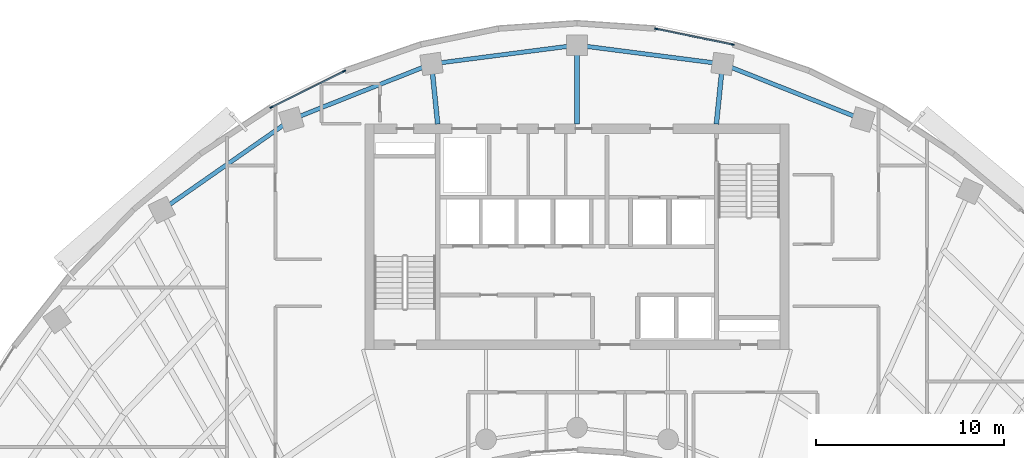
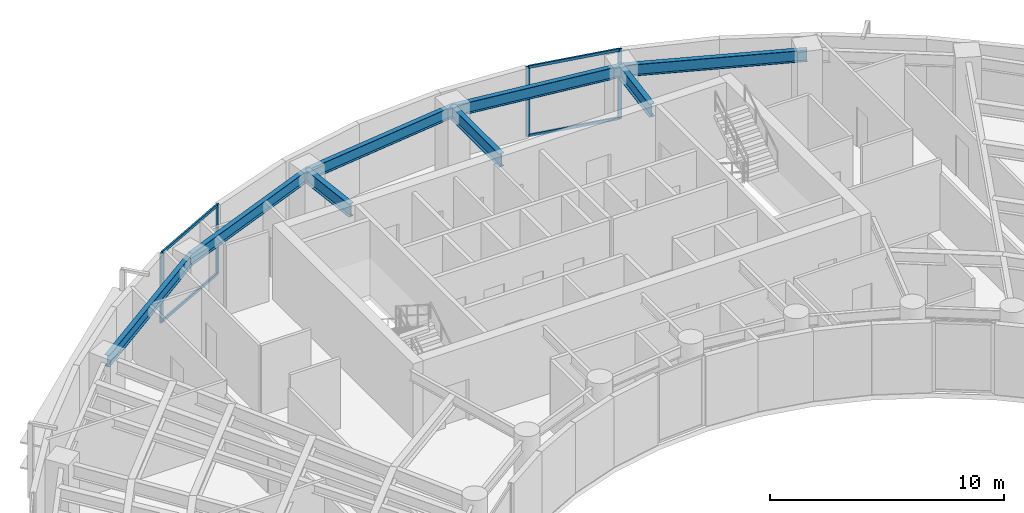
# One storey, part 5 of 13: 8 beams, 8 members, 2 elements without a shape of their own.
"""IFC4 building model written with IfcOpenShell, lengths in metres."""

import ifcopenshell
import ifcopenshell.guid

model = None  # the IFC model being written
_history = None  # IfcOwnerHistory: only IFC2X3 demands one
_inside = {}  # id of a spatial element -> (the spatial element, [elements in it])
_under = {}  # id of a project, library or spatial element -> (it, [spatial elements below it])
_declared = {}  # id of a project -> (the project, [libraries it declares])
_typed = {}  # id of a type object -> (the type object, [elements of that type])
_made_of = {}  # id of a material, layer set ... -> (it, [elements and type objects made of it])


def new_model(schema):
    """Start an empty IFC model of exactly this schema.

    Asked for "IFC4X3", IfcOpenShell would pick the latest addendum, in which some entities
    have other attributes; the version numbers below select the first issue.
    IFC2X3 requires an IfcOwnerHistory on every rooted entity: one is made here for all.
    """
    global model, _history
    if schema == "IFC4X3":
        model = ifcopenshell.file(schema_version=(4, 3, 0, 0))
    else:
        model = ifcopenshell.file(schema=schema)
    _inside.clear()
    _under.clear()
    _declared.clear()
    _typed.clear()
    _made_of.clear()
    _history = None
    if model.schema == "IFC2X3":
        org = make("IfcOrganization", Name="unknown")
        user = make(
            "IfcPersonAndOrganization",
            ThePerson=make("IfcPerson", FamilyName="unknown"),
            TheOrganization=org,
        )
        app = make(
            "IfcApplication",
            ApplicationDeveloper=org,
            Version="unknown",
            ApplicationFullName="unknown",
            ApplicationIdentifier="unknown",
        )
        _history = make(
            "IfcOwnerHistory",
            OwningUser=user,
            OwningApplication=app,
            ChangeAction="ADDED",
            CreationDate=0,
        )
    return model


def make(cls, **values):
    """One entity of the class cls with the attributes given. An attribute that is None is left unset."""
    return model.create_entity(
        cls, **{name: value for name, value in values.items() if value is not None}
    )


def rooted(cls, **values):
    """An entity with a GlobalId (a new one), such as an element, a storey or a relation."""
    return make(cls, GlobalId=ifcopenshell.guid.new(), OwnerHistory=_history, **values)


def si_unit(unit_type, name, prefix=None):
    """IfcSIUnit, for example si_unit("LENGTHUNIT", "METRE", prefix="MILLI")."""
    return make("IfcSIUnit", UnitType=unit_type, Prefix=prefix, Name=name)


def assignment(units):
    """IfcUnitAssignment: the units of a project."""
    return None if units is None else make("IfcUnitAssignment", Units=units)


def point(xyz):
    """IfcCartesianPoint."""
    return None if xyz is None else make("IfcCartesianPoint", Coordinates=xyz)


def direction(xyz):
    """IfcDirection."""
    return None if xyz is None else make("IfcDirection", DirectionRatios=xyz)


def frame(location, z_axis=None, x_axis=None):
    """IfcAxis2Placement3D, a coordinate frame: its origin and axes. An axis left out is left unset."""
    return make(
        "IfcAxis2Placement3D",
        Location=point(location),
        Axis=direction(z_axis),
        RefDirection=direction(x_axis),
    )


def frame_2d(location, x_axis=None):
    """IfcAxis2Placement2D, a coordinate frame in the plane: its origin and x axis."""
    return make(
        "IfcAxis2Placement2D", Location=point(location), RefDirection=direction(x_axis)
    )


def origin():
    """The frame at (0, 0, 0) with its axes left unset."""
    return frame((0.0, 0.0, 0.0))


def origin_2d():
    """The frame at (0, 0) in the plane with its x axis left unset."""
    return frame_2d((0.0, 0.0))


def place(relative_to, where):
    """IfcLocalPlacement: puts the frame where relative to a parent placement (None: the world)."""
    return make(
        "IfcLocalPlacement", PlacementRelTo=relative_to, RelativePlacement=where
    )


def context(
    kind, dimensions, precision=None, world=None, true_north=None, identifier=None
):
    """IfcGeometricRepresentationContext, for example the 3D "Model" context."""
    return make(
        "IfcGeometricRepresentationContext",
        ContextIdentifier=identifier,
        ContextType=kind,
        CoordinateSpaceDimension=dimensions,
        Precision=precision,
        WorldCoordinateSystem=world,
        TrueNorth=true_north,
    )


def subcontext(parent, identifier, kind, view, scale=None):
    """IfcGeometricRepresentationSubContext, for example "Body" below "Model"."""
    return make(
        "IfcGeometricRepresentationSubContext",
        ContextIdentifier=identifier,
        ContextType=kind,
        ParentContext=parent,
        TargetScale=scale,
        TargetView=view,
    )


def project(units=None, contexts=None):
    """IfcProject with its units and contexts."""
    return rooted(
        "IfcProject",
        Name="project",
        RepresentationContexts=contexts,
        UnitsInContext=assignment(units),
    )


def spatial(cls, under=None, at=None, **own):
    """A site, building, storey or space (cls), placed at a placement, below another one or the project."""
    s = rooted(cls, ObjectPlacement=at, **own)
    if under is not None:
        _under.setdefault(under.id(), (under, []))[1].append(s)
    return s


def profile(cls, at=None, kind="AREA", **sizes):
    """A parametric profile (cls). Its sizes go by their IFC names, for example OverallWidth=200.0."""
    return make(cls, ProfileType=kind, Position=at, **sizes)


def rectangle(**sizes):
    """IfcRectangleProfileDef."""
    return profile("IfcRectangleProfileDef", **sizes)


def i_section(**sizes):
    """IfcIShapeProfileDef."""
    return profile("IfcIShapeProfileDef", **sizes)


def extrude(swept, where, along, depth):
    """IfcExtrudedAreaSolid: the profile swept, set in the frame where, extruded along a direction by depth."""
    return make(
        "IfcExtrudedAreaSolid",
        SweptArea=swept,
        Position=where,
        ExtrudedDirection=direction(along),
        Depth=depth,
    )


def shape(context_of_items, identifier, shape_type, items):
    """IfcShapeRepresentation: the items that make up one representation, for example the "Body"."""
    return make(
        "IfcShapeRepresentation",
        ContextOfItems=context_of_items,
        RepresentationIdentifier=identifier,
        RepresentationType=shape_type,
        Items=items,
    )


def source(mapping_origin, context_of_items, identifier, shape_type, items):
    """IfcRepresentationMap: a shape defined once, which mapped items show again and again."""
    return make(
        "IfcRepresentationMap",
        MappingOrigin=mapping_origin,
        MappedRepresentation=shape(context_of_items, identifier, shape_type, items),
    )


def transform(
    local_origin,
    x_axis=None,
    y_axis=None,
    z_axis=None,
    scale=None,
    scale2=None,
    scale3=None,
    uniform=True,
):
    """IfcCartesianTransformationOperator3D, or its non-uniform kind. x_axis, y_axis, z_axis: its Axis1, 2, 3."""
    if uniform:
        return make(
            "IfcCartesianTransformationOperator3D",
            Axis1=direction(x_axis),
            Axis2=direction(y_axis),
            LocalOrigin=point(local_origin),
            Scale=scale,
            Axis3=direction(z_axis),
        )
    return make(
        "IfcCartesianTransformationOperator3DnonUniform",
        Axis1=direction(x_axis),
        Axis2=direction(y_axis),
        LocalOrigin=point(local_origin),
        Scale=scale,
        Axis3=direction(z_axis),
        Scale2=scale2,
        Scale3=scale3,
    )


def mapped(mapping_source, mapping_target):
    """IfcMappedItem: shows the shape of a source again, moved by a transform."""
    return make(
        "IfcMappedItem", MappingSource=mapping_source, MappingTarget=mapping_target
    )


def material(Name=None, Category=None):
    """IfcMaterial."""
    return make("IfcMaterial", Name=Name, Category=Category)


def layer(
    of_material, thickness, ventilated=None, Name=None, Category=None, Priority=None
):
    """IfcMaterialLayer: one layer of a wall or slab, of a material (None: an air gap)."""
    return make(
        "IfcMaterialLayer",
        Material=of_material,
        LayerThickness=thickness,
        IsVentilated=ventilated,
        Name=Name,
        Category=Category,
        Priority=Priority,
    )


def layer_set(layers, Name=None):
    """IfcMaterialLayerSet."""
    return make("IfcMaterialLayerSet", MaterialLayers=layers, LayerSetName=Name)


def material_profile(
    of_material, cross_section, Name=None, Category=None, Priority=None
):
    """IfcMaterialProfile: a cross section and its material."""
    return make(
        "IfcMaterialProfile",
        Name=Name,
        Material=of_material,
        Profile=cross_section,
        Priority=Priority,
        Category=Category,
    )


def profile_set(profiles, Name=None, composite=None):
    """IfcMaterialProfileSet."""
    return make(
        "IfcMaterialProfileSet",
        Name=Name,
        MaterialProfiles=profiles,
        CompositeProfile=composite,
    )


def made_of(thing, what):
    """Note that an element or type object is made of a material, layer set ...; save() writes the relation."""
    if what is not None:
        _made_of.setdefault(what.id(), (what, []))[1].append(thing)
    return thing


def type_object(cls, material=None, **own):
    """A type object (cls), such as IfcWallType, which elements share."""
    return made_of(rooted(cls, **own), material)


def element(
    cls,
    number,
    at=None,
    inside=None,
    cuts=None,
    type_object=None,
    material=None,
    context=None,
    identifier="Body",
    shape_type=None,
    held_by="IfcProductDefinitionShape",
    body=None,
    shapes=None,
    **own,
):
    """One element of the class cls, such as IfcWall. Its Tag is "e" and its number.

    at: its placement. inside: the storey or other place that contains it. cuts: it is an
    opening in that element (IfcRelVoidsElement). A single representation is given by context,
    identifier, shape_type and body (its items); several are given by shapes. held_by: the class
    of the entity that holds the representations. save() writes the other relations.
    """
    e = rooted(cls, Tag="e%d" % number, ObjectPlacement=at, **own)
    if body is not None:
        shapes = [shape(context, identifier, shape_type, body)]
    if shapes is not None:
        e.Representation = make(held_by, Representations=shapes)
    if inside is not None:
        _inside.setdefault(inside.id(), (inside, []))[1].append(e)
    if cuts is not None:
        rooted(
            "IfcRelVoidsElement", RelatingBuildingElement=cuts, RelatedOpeningElement=e
        )
    if type_object is not None:
        _typed.setdefault(type_object.id(), (type_object, []))[1].append(e)
    return made_of(e, material)


def aggregate(whole, parts):
    """IfcRelAggregates: a whole, such as a stair, and the parts it consists of."""
    return rooted("IfcRelAggregates", RelatingObject=whole, RelatedObjects=parts)


def save(model, path):
    """Write the relations noted so far, then the file.

    IfcRelAggregates (storeys below a building ...), IfcRelContainedInSpatialStructure (elements
    in a storey), IfcRelDefinesByType, IfcRelAssociatesMaterial and IfcRelDeclares: one each for
    every whole, place, type object, material and project.
    """
    for whole, parts in _under.values():
        aggregate(whole, parts)
    for where, things in _inside.values():
        rooted(
            "IfcRelContainedInSpatialStructure",
            RelatedElements=things,
            RelatingStructure=where,
        )
    for kind, things in _typed.values():
        rooted("IfcRelDefinesByType", RelatedObjects=things, RelatingType=kind)
    for what, things in _made_of.values():
        rooted("IfcRelAssociatesMaterial", RelatedObjects=things, RelatingMaterial=what)
    for by, libraries in _declared.values():
        rooted("IfcRelDeclares", RelatingContext=by, RelatedDefinitions=libraries)
    model.write(path)


model = new_model("IFC4")

# Units and contexts
model_context = context("Model", 3, precision=1e-05, world=origin(), true_north=direction((0.0, 1.0)))
body_context = subcontext(model_context, "Body", "Model", "MODEL_VIEW")
ifc_project = project(units=[si_unit("LENGTHUNIT", "METRE"), si_unit("AREAUNIT", "SQUARE_METRE"), si_unit("VOLUMEUNIT", "CUBIC_METRE"), si_unit("PLANEANGLEUNIT", "RADIAN"), si_unit("MASSUNIT", "GRAM", prefix="KILO")], contexts=[model_context])

# Site, building, storey
site_placement = place(None, origin())
site = spatial("IfcSite", under=ifc_project, at=site_placement, CompositionType="ELEMENT")
building_placement = place(site_placement, origin())
building = spatial("IfcBuilding", under=site, at=building_placement, Name="Breltana Convention Tower", CompositionType="ELEMENT")
storey_placement = place(building_placement, frame((0.0, 0.0, 142.800048828125)))
storey = spatial("IfcBuildingStorey", under=building, at=storey_placement, Name="L34", CompositionType="ELEMENT", Elevation=142.800048828125)

# Beams
ifc_material_1 = material(Name="Steel ASTM A992 Grade 50", Category="steel")
ifc_material_profile_1 = material_profile(ifc_material_1, i_section(OverallWidth=0.25390625, OverallDepth=0.68798828125, WebThickness=0.01318359375, FlangeThickness=0.02099609375, at=origin_2d()), Name="W27X102")
ifc_profile_set_1 = profile_set([ifc_material_profile_1], Name="Steel ASTM A992 Grade 50")
beam_type_1 = type_object("IfcBeamType", Name="BM-RG-W27X102", PredefinedType="USERDEFINED", material=ifc_profile_set_1)
shared_shape_1 = source(origin(), body_context, "Body", "SweptSolid", [
    extrude(i_section(OverallWidth=0.25390625, OverallDepth=0.68798828125, WebThickness=0.01318359375, FlangeThickness=0.02099609375, at=origin_2d()), origin(), (0.0, 0.0, 1.0), 3.220947265625),
])
for number, where, z_axis, x_axis, name in (
    (1, (40.580078125, 72.199951171875, 3.305908203125), (-0.101492254858, 0.994836329355, 0.0), (-0.994836329355, -0.101492254858, 0.0), "L34 North Core Radial Girder R05"),
    (2, (55.419921875, 72.199951171875, 3.305908203125), (0.101492254858, 0.994836329355, 0.0), (-0.994836329355, 0.101492254858, 0.0), "L34 North Core Radial Girder R07"),
):
    element("IfcBeam", number, at=place(storey_placement, frame(where, z_axis=z_axis, x_axis=x_axis)), inside=storey, type_object=beam_type_1, Name=name, ObjectType="GIRDER", PredefinedType="USERDEFINED", context=body_context, shape_type="MappedRepresentation", body=[
        mapped(shared_shape_1, transform((0.0, 0.0, 0.0), scale=1.0)),
    ])
shared_shape_2 = source(origin(), body_context, "Body", "SweptSolid", [
    extrude(i_section(OverallWidth=0.25390625, OverallDepth=0.68798828125, WebThickness=0.01318359375, FlangeThickness=0.02099609375, at=origin_2d()), origin(), (0.0, 0.0, 1.0), 4.2041015625),
])
beam_1_placement = place(storey_placement, frame((48.0, 72.199951171875, 3.305908203125), z_axis=(0.0, 1.0, 0.0), x_axis=(-1.0, 0.0, 0.0)))
element("IfcBeam", 3, at=beam_1_placement, inside=storey, type_object=beam_type_1, Name="L34 North Core Radial Girder R06", ObjectType="GIRDER", PredefinedType="USERDEFINED", context=body_context, shape_type="MappedRepresentation", body=[
    mapped(shared_shape_2, transform((0.0, 0.0, 0.0), scale=1.0)),
])
ifc_material_profile_2 = material_profile(ifc_material_1, i_section(OverallWidth=0.22802734375, OverallDepth=0.60791015625, WebThickness=0.01123046875, FlangeThickness=0.017333984375, at=origin_2d()), Name="W24X76")
ifc_profile_set_2 = profile_set([ifc_material_profile_2], Name="Steel ASTM A992 Grade 50")
beam_type_2 = type_object("IfcBeamType", Name="BM-SP-W24X76", PredefinedType="SPANDREL", material=ifc_profile_set_2)
shared_shape_3 = source(origin(), body_context, "Body", "SweptSolid", [
    extrude(i_section(OverallWidth=0.22802734375, OverallDepth=0.60791015625, WebThickness=0.01123046875, FlangeThickness=0.017333984375, at=origin_2d()), origin(), (0.0, 0.0, 1.0), 8.4169921875),
])
beam_2_placement = place(storey_placement, frame((25.8876953125, 67.626953125, 3.345947265625), z_axis=(0.820173800102, 0.572114444519, 0.0), x_axis=(-0.572114444519, 0.820173800102, 0.0)))
element("IfcBeam", 4, at=beam_2_placement, inside=storey, type_object=beam_type_2, Name="L34 Outer Spandrel Beam 03", PredefinedType="SPANDREL", context=body_context, shape_type="MappedRepresentation", body=[
    mapped(shared_shape_3, transform((0.0, 0.0, 0.0), scale=1.0)),
])
shared_shape_4 = source(origin(), body_context, "Body", "SweptSolid", [
    extrude(i_section(OverallWidth=0.22802734375, OverallDepth=0.60791015625, WebThickness=0.01123046875, FlangeThickness=0.017333984375, at=origin_2d()), origin(), (0.0, 0.0, 1.0), 8.028564453125),
])
for number, where, z_axis, x_axis, name in (
    (5, (32.791015625, 72.4423828125, 3.345947265625), (0.929459100394, 0.368925169507, 0.0), (-0.368925169507, 0.929459100394, 0.0), "L34 Outer Spandrel Beam 04"),
    (6, (55.746826171875, 75.404296875, 3.345947265625), (0.929459100394, -0.368925169507, 0.0), (0.368925169507, 0.929459100394, 0.0), "L34 Outer Spandrel Beam 07"),
):
    element("IfcBeam", number, at=place(storey_placement, frame(where, z_axis=z_axis, x_axis=x_axis)), inside=storey, type_object=beam_type_2, Name=name, PredefinedType="SPANDREL", context=body_context, shape_type="MappedRepresentation", body=[
        mapped(shared_shape_4, transform((0.0, 0.0, 0.0), scale=1.0)),
    ])
shared_shape_5 = source(origin(), body_context, "Body", "SweptSolid", [
    extrude(i_section(OverallWidth=0.22802734375, OverallDepth=0.60791015625, WebThickness=0.01123046875, FlangeThickness=0.017333984375, at=origin_2d()), origin(), (0.0, 0.0, 1.0), 7.81103515625),
])
for number, where, z_axis, x_axis, name in (
    (7, (40.253173828125, 75.404296875, 3.345947265625), (0.991775179127, 0.127992164083, 0.0), (-0.127992164083, 0.991775179127, 0.0), "L34 Outer Spandrel Beam 05"),
    (8, (48.0, 76.404052734375, 3.345947265625), (0.991775179127, -0.127992164083, 0.0), (0.127992164083, 0.991775179127, 0.0), "L34 Outer Spandrel Beam 06"),
):
    element("IfcBeam", number, at=place(storey_placement, frame(where, z_axis=z_axis, x_axis=x_axis)), inside=storey, type_object=beam_type_2, Name=name, PredefinedType="SPANDREL", context=body_context, shape_type="MappedRepresentation", body=[
        mapped(shared_shape_5, transform((0.0, 0.0, 0.0), scale=1.0)),
    ])

# Curtain wall, members
ifc_material_2 = material(Name="Aluminium Anodised Bronze Frame", Category="aluminium")
ifc_layer = layer(ifc_material_2, 0.2099609375, Name="Aluminium Anodised Bronze Frame")
ifc_layer_set = layer_set([ifc_layer], Name="Aluminium Anodised Bronze Frame")
curtain_wall_type = type_object("IfcCurtainWallType", Name="CW-SYS-3", PredefinedType="NOTDEFINED", material=ifc_layer_set)
curtain_wall_1_placement = place(storey_placement, origin())
curtain_wall_1 = element("IfcCurtainWall", 9, at=curtain_wall_1_placement, inside=storey, type_object=curtain_wall_type, Name="L34 outer double-skin inner glazing 2", PredefinedType="NOTDEFINED")
ifc_material_3 = material(Name="Aluminium Anodised Bronze", Category="aluminium")
ifc_material_profile_3 = material_profile(ifc_material_3, rectangle(XDim=0.070068359375, YDim=0.175048828125, at=origin_2d()), Name="CWM-70X175")
ifc_profile_set_3 = profile_set([ifc_material_profile_3], Name="Aluminium Anodised Bronze")
member_type_1 = type_object("IfcMemberType", Name="CWM-175", PredefinedType="MULLION", material=ifc_profile_set_3)
shared_shape_6 = source(origin(), body_context, "Body", "SweptSolid", [
    extrude(rectangle(XDim=0.070068359375, YDim=0.175048828125, at=origin_2d()), origin(), (0.0, 0.0, 1.0), 3.64990234375),
])
member_1_placement = place(storey_placement, frame((31.733154296875, 73.095458984375, 0.0), z_axis=(0.0, 0.0, 1.0), x_axis=(-0.444117835682, 0.895968385619, 0.0)))
member_1 = element("IfcMember", 10, at=member_1_placement, type_object=member_type_1, Name="CW-03 mullion 1", PredefinedType="MULLION", context=body_context, shape_type="MappedRepresentation", body=[
    mapped(shared_shape_6, transform((0.0, 0.0, 0.0), scale=1.0)),
])
member_2_placement = place(storey_placement, frame((35.59814453125, 75.011474609375, 0.0), z_axis=(0.0, 0.0, 1.0), x_axis=(-0.444117835682, 0.895968385619, 0.0)))
member_2 = element("IfcMember", 11, at=member_2_placement, type_object=member_type_1, Name="CW-03 mullion 2", PredefinedType="MULLION", context=body_context, shape_type="MappedRepresentation", body=[
    mapped(shared_shape_6, transform((0.0, 0.0, 0.0), scale=1.0)),
])

curtain_wall_2_placement = place(storey_placement, origin())
curtain_wall_2 = element("IfcCurtainWall", 12, at=curtain_wall_2_placement, inside=storey, type_object=curtain_wall_type, Name="L34 outer double-skin inner glazing 3", PredefinedType="NOTDEFINED")
member_3_placement = place(storey_placement, frame((52.2138671875, 77.272705078125, 0.0), z_axis=(0.0, 0.0, 1.0), x_axis=(0.200876562668, 0.979616560993, 0.0)))
member_3 = element("IfcMember", 13, at=member_3_placement, type_object=member_type_1, Name="CW-03 mullion 1", PredefinedType="MULLION", context=body_context, shape_type="MappedRepresentation", body=[
    mapped(shared_shape_6, transform((0.0, 0.0, 0.0), scale=1.0)),
])
member_4_placement = place(storey_placement, frame((56.28271484375, 76.4384765625, 0.0), z_axis=(0.0, 0.0, 1.0), x_axis=(0.200876562668, 0.979616560993, 0.0)))
member_4 = element("IfcMember", 14, at=member_4_placement, type_object=member_type_1, Name="CW-03 mullion 2", PredefinedType="MULLION", context=body_context, shape_type="MappedRepresentation", body=[
    mapped(shared_shape_6, transform((0.0, 0.0, 0.0), scale=1.0)),
])

# Member
ifc_material_profile_4 = material_profile(ifc_material_3, rectangle(XDim=0.080078125, YDim=0.139892578125, at=origin_2d()), Name="CWT-80X140")
ifc_profile_set_4 = profile_set([ifc_material_profile_4], Name="Aluminium Anodised Bronze")
member_type_2 = type_object("IfcMemberType", Name="CWT-140", PredefinedType="USERDEFINED", material=ifc_profile_set_4)
shared_shape_7 = source(origin(), body_context, "Body", "SweptSolid", [
    extrude(rectangle(XDim=0.080078125, YDim=0.139892578125, at=origin_2d()), origin(), (0.0, 0.0, 1.0), 4.243896484375),
])
member_5_placement = place(storey_placement, frame((31.764404296875, 73.111083984375, 0.0400390625), z_axis=(0.895975011629, 0.444104468043, 0.0), x_axis=(-0.444104468043, 0.895975011629, 0.0)))
member_5 = element("IfcMember", 15, at=member_5_placement, type_object=member_type_2, Name="CW-03 transom 1.1", ObjectType="TRANSOM", PredefinedType="USERDEFINED", context=body_context, shape_type="MappedRepresentation", body=[
    mapped(shared_shape_7, transform((0.0, 0.0, 0.0), scale=1.0)),
])

member_6_placement = place(storey_placement, frame((31.764404296875, 73.111083984375, 3.60986328125), z_axis=(0.895975011629, 0.444104468043, 0.0), x_axis=(-0.444104468043, 0.895975011629, 0.0)))
member_6 = element("IfcMember", 16, at=member_6_placement, type_object=member_type_2, Name="CW-03 transom 1.2", ObjectType="TRANSOM", PredefinedType="USERDEFINED", context=body_context, shape_type="MappedRepresentation", body=[
    mapped(shared_shape_7, transform((0.0, 0.0, 0.0), scale=1.0)),
])

aggregate(curtain_wall_1, [member_1, member_2, member_5, member_6])

shared_shape_8 = source(origin(), body_context, "Body", "SweptSolid", [
    extrude(rectangle(XDim=0.080078125, YDim=0.139892578125, at=origin_2d()), origin(), (0.0, 0.0, 1.0), 4.08349609375),
])
member_7_placement = place(storey_placement, frame((52.248291015625, 77.265625, 0.0400390625), z_axis=(0.979626533509, -0.20082792347, 0.0), x_axis=(0.20082792347, 0.979626533509, 0.0)))
member_7 = element("IfcMember", 17, at=member_7_placement, type_object=member_type_2, Name="CW-03 transom 1.1", ObjectType="TRANSOM", PredefinedType="USERDEFINED", context=body_context, shape_type="MappedRepresentation", body=[
    mapped(shared_shape_8, transform((0.0, 0.0, 0.0), scale=1.0)),
])

member_8_placement = place(storey_placement, frame((52.248291015625, 77.265625, 3.60986328125), z_axis=(0.979626533509, -0.20082792347, 0.0), x_axis=(0.20082792347, 0.979626533509, 0.0)))
member_8 = element("IfcMember", 18, at=member_8_placement, type_object=member_type_2, Name="CW-03 transom 1.2", ObjectType="TRANSOM", PredefinedType="USERDEFINED", context=body_context, shape_type="MappedRepresentation", body=[
    mapped(shared_shape_8, transform((0.0, 0.0, 0.0), scale=1.0)),
])

aggregate(curtain_wall_2, [member_3, member_4, member_7, member_8])

save(model, "model.ifc")
